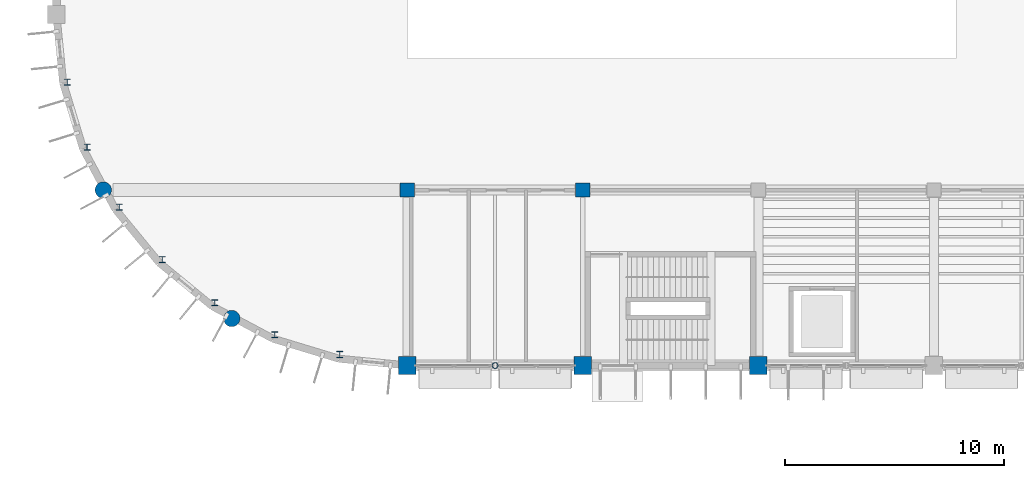
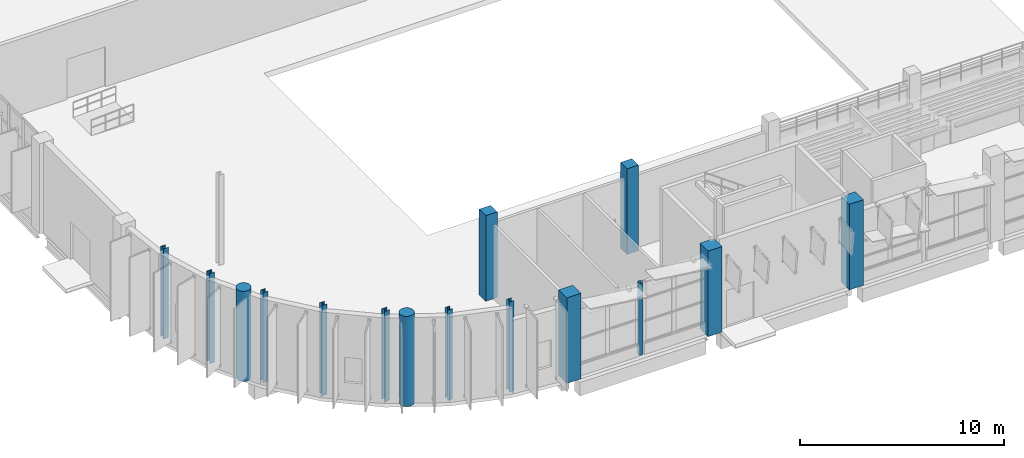
# One storey, part 1 of 103: 15 columns.
"""IFC4 building model written with IfcOpenShell, lengths in metres."""

from ifc_helpers import new_model, si_unit, direction, frame, origin, origin_2d, place, context, subcontext, project, spatial, rectangle, circle, hollow_circle, i_section, extrude, material, material_profile, profile_set, type_object, element, save


model = new_model("IFC4")

# Units and contexts
model_context = context("Model", 3, precision=1e-05, world=origin(), true_north=direction((0.0, 1.0)))
body_context = subcontext(model_context, "Body", "Model", "MODEL_VIEW")
ifc_project = project(units=[si_unit("LENGTHUNIT", "METRE"), si_unit("AREAUNIT", "SQUARE_METRE"), si_unit("VOLUMEUNIT", "CUBIC_METRE"), si_unit("PLANEANGLEUNIT", "RADIAN"), si_unit("MASSUNIT", "GRAM", prefix="KILO")], contexts=[model_context])

# Site, building, storey
site_placement = place(None, origin())
site = spatial("IfcSite", under=ifc_project, at=site_placement, CompositionType="ELEMENT")
building_placement = place(site_placement, origin())
building = spatial("IfcBuilding", under=site, at=building_placement, Name="Drelvana Railside Aquatics Centre", CompositionType="ELEMENT")
storey_placement = place(building_placement, origin())
storey = spatial("IfcBuildingStorey", under=building, at=storey_placement, Name="L00", CompositionType="ELEMENT", Elevation=0.0)

# Columns
ifc_material_1 = material(Name="Concrete C40/50", Category="concrete")
ifc_material_profile_1 = material_profile(ifc_material_1, rectangle(XDim=0.64990234375, YDim=0.64990234375, at=origin_2d()), Name="RC 650x650")
ifc_profile_set_1 = profile_set([ifc_material_profile_1], Name="Concrete C40/50")
column_type_1 = type_object("IfcColumnType", Name="STR-COL-RC-650x650", PredefinedType="COLUMN", material=ifc_profile_set_1)
for number, where, z_axis, x_axis, name in (
    (1, (16.0, 24.0, 0.0), (0.0, 0.0, 1.0), (1.0, 0.0, 0.0), "Column C-05 (L00)"),
    (2, (24.0, 24.0, 0.0), (0.0, 0.0, 1.0), (1.0, 0.0, 0.0), "Column C-05 (L00)"),
):
    element("IfcColumn", number, at=place(storey_placement, frame(where, z_axis=z_axis, x_axis=x_axis)), inside=storey, type_object=column_type_1, Name=name, PredefinedType="COLUMN", context=body_context, shape_type="SweptSolid", body=[
        extrude(rectangle(XDim=0.64990234375, YDim=0.64990234375, at=origin_2d()), origin(), (0.0, 0.0, 1.0), 5.125),
    ])
ifc_material_profile_2 = material_profile(ifc_material_1, rectangle(XDim=0.800048828125, YDim=0.800048828125, at=origin_2d()), Name="RC 800x800")
ifc_profile_set_2 = profile_set([ifc_material_profile_2], Name="Concrete C40/50")
column_type_2 = type_object("IfcColumnType", Name="STR-COL-RC-800x800", PredefinedType="COLUMN", material=ifc_profile_set_2)
for number, where, z_axis, x_axis, name in (
    (3, (16.0, 16.0, 0.0), (0.0, 0.0, 1.0), (1.0, 0.0, 0.0), "Column C-08 (L00)"),
    (4, (24.0, 16.0, 0.0), (0.0, 0.0, 1.0), (1.0, 0.0, 0.0), "Column C-08 (L00)"),
    (5, (32.0, 16.0, 0.0), (0.0, 0.0, 1.0), (1.0, 0.0, 0.0), "Column C-08 (L00)"),
):
    element("IfcColumn", number, at=place(storey_placement, frame(where, z_axis=z_axis, x_axis=x_axis)), inside=storey, type_object=column_type_2, Name=name, PredefinedType="COLUMN", context=body_context, shape_type="SweptSolid", body=[
        extrude(rectangle(XDim=0.800048828125, YDim=0.800048828125, at=origin_2d()), origin(), (0.0, 0.0, 1.0), 5.125),
    ])
ifc_material_profile_3 = material_profile(ifc_material_1, circle(Radius=0.375, at=origin_2d()), Name="RC D750")
ifc_profile_set_3 = profile_set([ifc_material_profile_3], Name="Concrete C40/50")
column_type_3 = type_object("IfcColumnType", Name="STR-COL-RC-D750", PredefinedType="PILASTER", material=ifc_profile_set_3)
for number, where, z_axis, x_axis, name in (
    (6, (2.1435546875, 24.0, 0.0), (0.0, 0.0, 1.0), (1.0, 0.0, 0.0), "Column CP-02 (L00)"),
    (7, (8.0, 18.1435546875, 0.0), (0.0, 0.0, 1.0), (1.0, 0.0, 0.0), "Column CP-02 (L00)"),
):
    element("IfcColumn", number, at=place(storey_placement, frame(where, z_axis=z_axis, x_axis=x_axis)), inside=storey, type_object=column_type_3, Name=name, PredefinedType="PILASTER", context=body_context, shape_type="SweptSolid", body=[
        extrude(circle(Radius=0.375, at=origin_2d()), origin(), (0.0, 0.0, 1.0), 5.39990234375),
    ])
ifc_material_2 = material(Name="Structural steel S355", Category="steel")
ifc_material_profile_4 = material_profile(ifc_material_2, hollow_circle(Radius=0.136474609375, WallThickness=0.012451171875, at=origin_2d()), Name="CHS 273x12.5")
ifc_profile_set_4 = profile_set([ifc_material_profile_4], Name="Structural steel S355")
column_type_4 = type_object("IfcColumnType", Name="STR-SCOL-CHS-273x12.5", PredefinedType="PILASTER", material=ifc_profile_set_4)
column_placement = place(storey_placement, frame((20.0, 16.0, 0.0), z_axis=(0.0, 0.0, 1.0), x_axis=(1.0, 0.0, 0.0)))
element("IfcColumn", 8, at=column_placement, inside=storey, type_object=column_type_4, Name="Sine-wave facade steel post 1", PredefinedType="PILASTER", context=body_context, shape_type="SweptSolid", body=[
    extrude(hollow_circle(Radius=0.136474609375, WallThickness=0.012451171875, at=origin_2d()), origin(), (0.0, 0.0, 1.0), 4.304931640625),
])
ifc_material_profile_5 = material_profile(ifc_material_2, i_section(OverallWidth=0.280029296875, OverallDepth=0.280029296875, WebThickness=0.010498046875, FlangeThickness=0.01806640625, at=origin_2d()), Name="HEB 280")
ifc_profile_set_5 = profile_set([ifc_material_profile_5], Name="Structural steel S355")
column_type_5 = type_object("IfcColumnType", Name="STR-SCOL-HEB-280", PredefinedType="COLUMN", material=ifc_profile_set_5)
for number, where, z_axis, x_axis, name in (
    (9, (0.503662109375, 28.91748046875, 0.0), (0.0, 0.0, 1.0), (1.0, 0.0, 0.0), "V1SW curved chord column 1 (L00)"),
    (10, (1.402587890625, 25.95361328125, 0.0), (0.0, 0.0, 1.0), (1.0, 0.0, 0.0), "V1SW curved chord column 2 (L00)"),
    (11, (2.86279296875, 23.221923828125, 0.0), (0.0, 0.0, 1.0), (1.0, 0.0, 0.0), "V1SW curved chord column 3 (L00)"),
    (12, (4.82763671875, 20.82763671875, 0.0), (0.0, 0.0, 1.0), (1.0, 0.0, 0.0), "V1SW curved chord column 4 (L00)"),
    (13, (7.221923828125, 18.86279296875, 0.0), (0.0, 0.0, 1.0), (1.0, 0.0, 0.0), "V1SW curved chord column 5 (L00)"),
    (14, (9.95361328125, 17.402587890625, 0.0), (0.0, 0.0, 1.0), (1.0, 0.0, 0.0), "V1SW curved chord column 6 (L00)"),
    (15, (12.91748046875, 16.503662109375, 0.0), (0.0, 0.0, 1.0), (1.0, 0.0, 0.0), "V1SW curved chord column 7 (L00)"),
):
    element("IfcColumn", number, at=place(storey_placement, frame(where, z_axis=z_axis, x_axis=x_axis)), inside=storey, type_object=column_type_5, Name=name, PredefinedType="COLUMN", context=body_context, shape_type="SweptSolid", body=[
        extrude(i_section(OverallWidth=0.280029296875, OverallDepth=0.280029296875, WebThickness=0.010498046875, FlangeThickness=0.01806640625, at=origin_2d()), origin(), (0.0, 0.0, 1.0), 5.39990234375),
    ])

save(model, "model.ifc")
